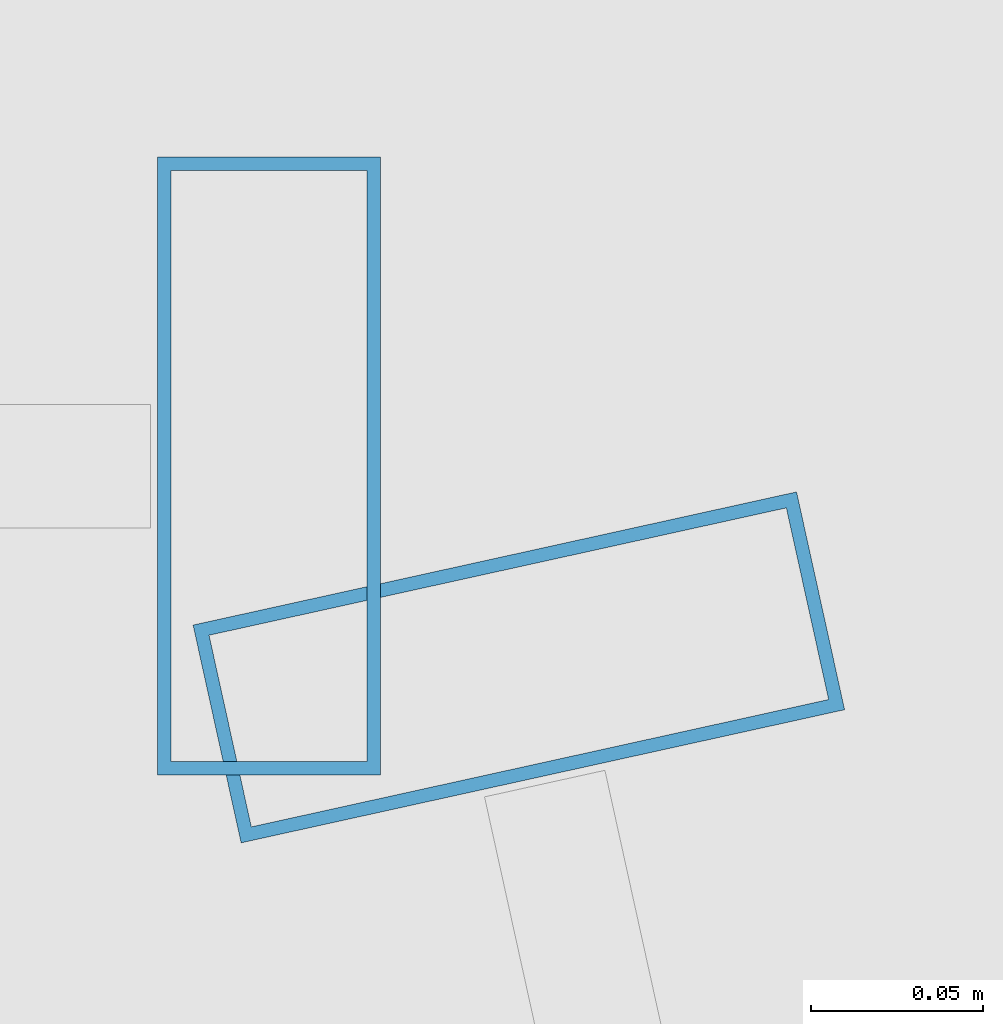
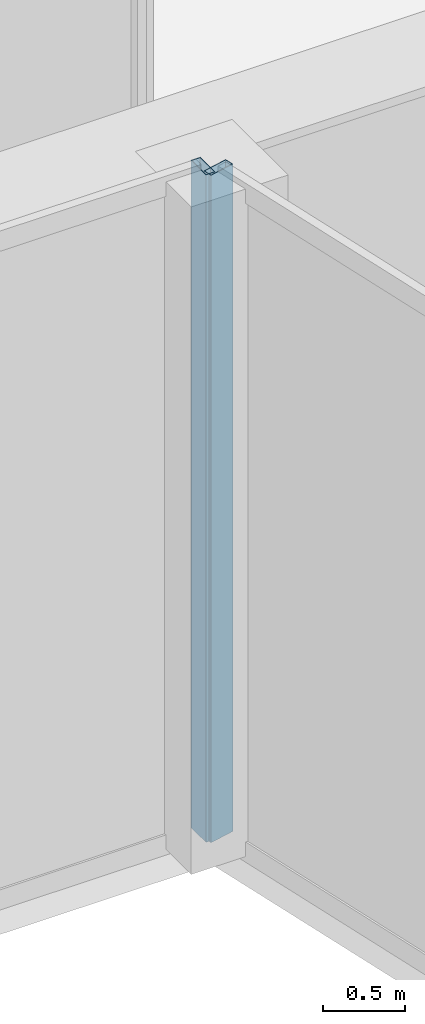
# One storey, part 10 of 42: 2 members, 2 elements without a shape of their own.
"""IFC4 building model written with IfcOpenShell, lengths in metres."""

from ifc_helpers import new_model, si_unit, direction, frame, origin, origin_2d, place, context, subcontext, project, spatial, hollow_rectangle, extrude, material, material_profile, profile_set, type_object, element, aggregate, save


model = new_model("IFC4")

# Units and contexts
model_context = context("Model", 3, precision=1e-05, world=origin(), true_north=direction((0.0, 1.0)))
body_context = subcontext(model_context, "Body", "Model", "MODEL_VIEW")
ifc_project = project(units=[si_unit("LENGTHUNIT", "METRE"), si_unit("AREAUNIT", "SQUARE_METRE"), si_unit("VOLUMEUNIT", "CUBIC_METRE"), si_unit("PLANEANGLEUNIT", "RADIAN"), si_unit("MASSUNIT", "GRAM", prefix="KILO")], contexts=[model_context])

# Site, building, storey
site_placement = place(None, origin())
site = spatial("IfcSite", under=ifc_project, at=site_placement, CompositionType="ELEMENT")
building_placement = place(site_placement, origin())
building = spatial("IfcBuilding", under=site, at=building_placement, Name="Saevonmaru Cultural Tower", CompositionType="ELEMENT")
storey_placement = place(building_placement, frame((0.0, 0.0, 33.0)))
storey = spatial("IfcBuildingStorey", under=building, at=storey_placement, Name="L06", CompositionType="ELEMENT", Elevation=33.0)

# Curtain wall, member
ifc_material = material(Name="Satin Bronze Anodised Aluminium", Category="aluminium")
curtain_wall_type = type_object("IfcCurtainWallType", Name="CW-SKY-GLZ", PredefinedType="NOTDEFINED", material=ifc_material)
curtain_wall_1_placement = place(storey_placement, origin())
curtain_wall_1 = element("IfcCurtainWall", 1, at=curtain_wall_1_placement, inside=storey, type_object=curtain_wall_type, Name="L06 Unitised Curtain Wall E4", PredefinedType="NOTDEFINED")
ifc_material_profile = material_profile(ifc_material, hollow_rectangle(XDim=0.06494140625, YDim=0.179931640625, WallThickness=0.00390625, at=origin_2d()), Name="ALU-MULL-180x65x4")
ifc_profile_set = profile_set([ifc_material_profile], Name="Satin Bronze Anodised Aluminium")
member_type = type_object("IfcMemberType", Name="ML-CW-180x65", PredefinedType="MULLION", material=ifc_profile_set)
member_1_placement = place(storey_placement, frame((33.340087890625, 15.60009765625, 0.0), z_axis=(0.0, 0.0, 1.0), x_axis=(1.0, 0.0, 0.0)))
member_1 = element("IfcMember", 2, at=member_1_placement, type_object=member_type, Name="CW-TW-L06-E4 mullion 2", PredefinedType="MULLION", context=body_context, shape_type="SweptSolid", body=[
    extrude(hollow_rectangle(XDim=0.06494140625, YDim=0.179931640625, WallThickness=0.00390625, at=origin_2d()), origin(), (0.0, 0.0, 1.0), 4.949951171875),
])
aggregate(curtain_wall_1, [member_1])

curtain_wall_2_placement = place(storey_placement, origin())
curtain_wall_2 = element("IfcCurtainWall", 3, at=curtain_wall_2_placement, inside=storey, type_object=curtain_wall_type, Name="L06 Unitised Curtain Wall E5", PredefinedType="NOTDEFINED")
member_2_placement = place(storey_placement, frame((33.412841796875, 15.54150390625, 0.0), z_axis=(0.0, 0.0, 1.0), x_axis=(0.215413319953, -0.976522965212, 0.0)))
member_2 = element("IfcMember", 4, at=member_2_placement, type_object=member_type, Name="CW-TW-L06-E5 mullion 1", PredefinedType="MULLION", context=body_context, shape_type="SweptSolid", body=[
    extrude(hollow_rectangle(XDim=0.06494140625, YDim=0.179931640625, WallThickness=0.00390625, at=origin_2d()), origin(), (0.0, 0.0, 1.0), 4.949951171875),
])
aggregate(curtain_wall_2, [member_2])

save(model, "model.ifc")
